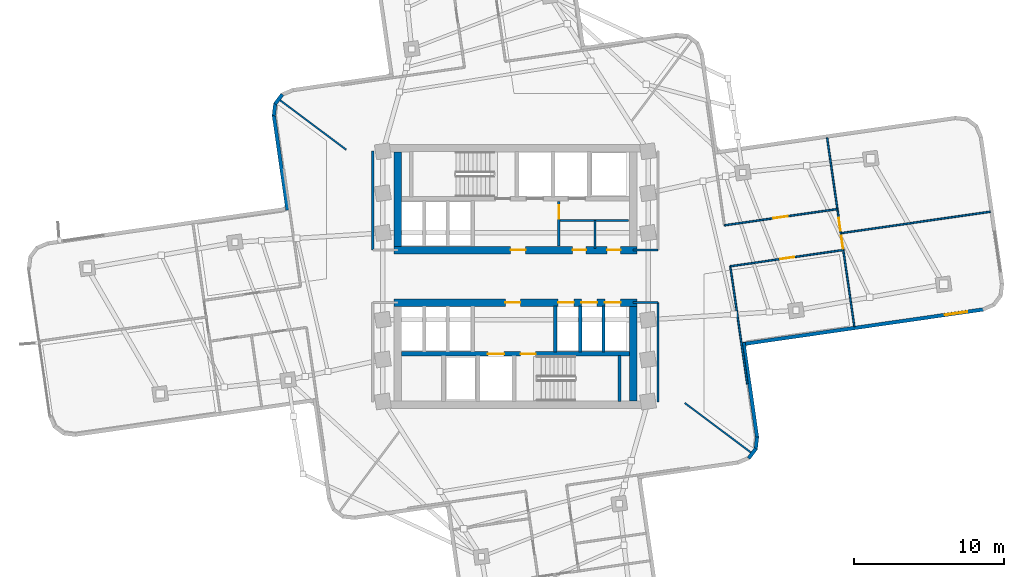
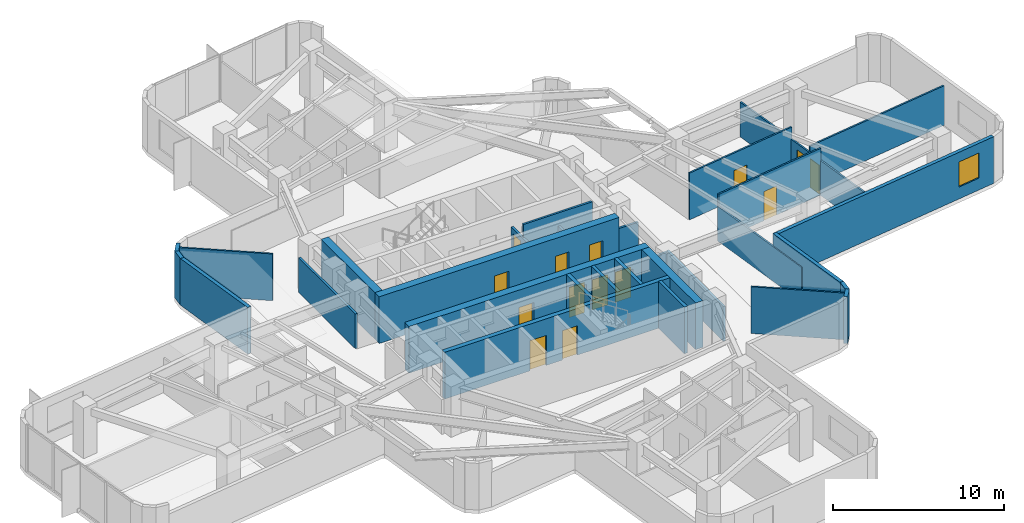
# One storey, part 7 of 13: 30 walls, 14 doors, 1 window, 15 openings.
"""IFC4 building model written with IfcOpenShell, lengths in metres."""

from ifc_helpers import new_model, si_unit, direction, frame, frame_2d, origin, place, context, subcontext, project, spatial, rectangle, extrude, material, layer, layer_set, type_object, element, fill, save


model = new_model("IFC4")

# Units and contexts
model_context = context("Model", 3, precision=1e-05, world=origin(), true_north=direction((0.0, 1.0)))
body_context = subcontext(model_context, "Body", "Model", "MODEL_VIEW")
ifc_project = project(units=[si_unit("LENGTHUNIT", "METRE"), si_unit("AREAUNIT", "SQUARE_METRE"), si_unit("VOLUMEUNIT", "CUBIC_METRE"), si_unit("PLANEANGLEUNIT", "RADIAN"), si_unit("MASSUNIT", "GRAM", prefix="KILO")], contexts=[model_context])

# Site, building, storey
site_placement = place(None, origin())
site = spatial("IfcSite", under=ifc_project, at=site_placement, CompositionType="ELEMENT")
building_placement = place(site_placement, origin())
building = spatial("IfcBuilding", under=site, at=building_placement, Name="Solmarez Civic Tower", CompositionType="ELEMENT")
storey_placement = place(building_placement, frame((0.0, 0.0, 89.280029296875)))
storey = spatial("IfcBuildingStorey", under=building, at=storey_placement, Name="L23", CompositionType="ELEMENT", Elevation=89.280029296875)

# Wall, openings, doors
ifc_material_1 = material(Name="Concrete C60/75", Category="concrete")
ifc_layer_1 = layer(ifc_material_1, 0.5)
ifc_layer_set_1 = layer_set([ifc_layer_1], Name="Concrete C60/75")
wall_type_1 = type_object("IfcWallType", Name="WALL-CORE-500", PredefinedType="SHEAR", material=ifc_layer_set_1)
wall_1_placement = place(storey_placement, frame((8.1201171875, 1.75, 0.0), z_axis=(0.0, 0.0, 1.0), x_axis=(-1.0, 0.0, 0.0)))
wall_1 = element("IfcWall", 1, at=wall_1_placement, inside=storey, type_object=wall_type_1, Name="L23 Split-Core Structural Wall NCW-S-L23", PredefinedType="SHEAR", context=body_context, shape_type="SweptSolid", body=[
    extrude(rectangle(XDim=16.240234375, YDim=0.5, at=frame_2d((8.1201171875, 0.0))), origin(), (0.0, 0.0, 1.0), 3.340087890625),
])
opening_1_placement = place(wall_1_placement, frame((7.449951171875, 0.0, 0.0)))
opening_1 = element("IfcOpeningElement", 2, at=opening_1_placement, cuts=wall_1, Name="Opening D-04", PredefinedType="OPENING", context=body_context, shape_type="SweptSolid", body=[
    extrude(rectangle(XDim=1.0, YDim=2.10009765625, at=frame_2d((0.5, 1.050048828125))), frame((0.0, 0.260009765625, 0.0), z_axis=(0.0, -1.0, 0.0), x_axis=(1.0, 0.0, 0.0)), (0.0, 0.0, 1.0), 0.52001953125),
])
opening_2_placement = place(wall_1_placement, frame((3.39990234375, 0.0, 0.0)))
opening_2 = element("IfcOpeningElement", 3, at=opening_2_placement, cuts=wall_1, Name="Opening D-09", PredefinedType="OPENING", context=body_context, shape_type="SweptSolid", body=[
    extrude(rectangle(XDim=0.89990234375, YDim=2.06005859375, at=frame_2d((0.449951171875, 1.030029296875))), frame((0.0, 0.260009765625, 0.0), z_axis=(0.0, -1.0, 0.0), x_axis=(1.0, 0.0, 0.0)), (0.0, 0.0, 1.0), 0.52001953125),
])
opening_3_placement = place(wall_1_placement, frame((1.10009765625, 0.0, 0.0)))
opening_3 = element("IfcOpeningElement", 4, at=opening_3_placement, cuts=wall_1, Name="Opening D-09", PredefinedType="OPENING", context=body_context, shape_type="SweptSolid", body=[
    extrude(rectangle(XDim=0.89990234375, YDim=2.06005859375, at=frame_2d((0.449951171875, 1.030029296875))), frame((0.0, 0.260009765625, 0.0), z_axis=(0.0, -1.0, 0.0), x_axis=(1.0, 0.0, 0.0)), (0.0, 0.0, 1.0), 0.52001953125),
])
ifc_material_2 = material(Name="Steel-Faced Acoustic Fire Door", Category="steel")
door_type_1 = type_object("IfcDoorType", Name="DOOR-FD60-1000", OperationType="NOTDEFINED", PredefinedType="DOOR", material=ifc_material_2)
door_1_placement = place(opening_1_placement, origin())
door_1 = element("IfcDoor", 5, at=door_1_placement, inside=storey, type_object=door_type_1, Name="L23 North Firefighting Lobby Door", OperationType="SINGLE_SWING_RIGHT", OverallHeight=2.10009765625, OverallWidth=1.0, PredefinedType="DOOR", context=body_context, shape_type="SweptSolid", body=[
    extrude(rectangle(XDim=1.0, YDim=2.10009765625, at=frame_2d((0.5, 1.050048828125))), frame((0.0, 0.02490234375, 0.0), z_axis=(0.0, -1.0, 0.0), x_axis=(1.0, 0.0, 0.0)), (0.0, 0.0, 1.0), 0.050048828125),
])
fill(opening_1, door_1)
ifc_material_3 = material(Name="Fire-Rated Service Core Door", Category="wood")
door_type_2 = type_object("IfcDoorType", Name="DOOR-FD60-900", OperationType="NOTDEFINED", PredefinedType="DOOR", material=ifc_material_3)
door_2_placement = place(opening_2_placement, origin())
door_2 = element("IfcDoor", 6, at=door_2_placement, inside=storey, type_object=door_type_2, Name="L23 Core WC Door", OperationType="SINGLE_SWING_LEFT", OverallHeight=2.06005859375, OverallWidth=0.89990234375, PredefinedType="DOOR", context=body_context, shape_type="SweptSolid", body=[
    extrude(rectangle(XDim=0.89990234375, YDim=2.06005859375, at=frame_2d((0.449951171875, 1.030029296875))), frame((0.0, 0.02490234375, 0.0), z_axis=(0.0, -1.0, 0.0), x_axis=(1.0, 0.0, 0.0)), (0.0, 0.0, 1.0), 0.050048828125),
])
fill(opening_2, door_2)
door_3_placement = place(opening_3_placement, origin())
door_3 = element("IfcDoor", 7, at=door_3_placement, inside=storey, type_object=door_type_2, Name="L23 Core CL Door", OperationType="SINGLE_SWING_RIGHT", OverallHeight=2.06005859375, OverallWidth=0.89990234375, PredefinedType="DOOR", context=body_context, shape_type="SweptSolid", body=[
    extrude(rectangle(XDim=0.89990234375, YDim=2.06005859375, at=frame_2d((0.449951171875, 1.030029296875))), frame((0.0, 0.02490234375, 0.0), z_axis=(0.0, -1.0, 0.0), x_axis=(1.0, 0.0, 0.0)), (0.0, 0.0, 1.0), 0.050048828125),
])
fill(opening_3, door_3)

# Wall
wall_2_placement = place(storey_placement, frame((-7.8701171875, 2.0, 0.0), z_axis=(0.0, 0.0, 1.0), x_axis=(0.0, 1.0, 0.0)))
element("IfcWall", 8, at=wall_2_placement, inside=storey, type_object=wall_type_1, Name="L23 Split-Core Structural Wall NCW-W-L23", PredefinedType="SHEAR", context=body_context, shape_type="SweptSolid", body=[
    extrude(rectangle(XDim=6.31005859375, YDim=0.5, at=frame_2d((3.155029296875, 0.0))), origin(), (0.0, 0.0, 1.0), 3.340087890625),
])

# Wall, openings, doors
wall_3_placement = place(storey_placement, frame((-8.1201171875, -1.75, 0.0), z_axis=(0.0, 0.0, 1.0), x_axis=(1.0, 0.0, 0.0)))
wall_3 = element("IfcWall", 9, at=wall_3_placement, inside=storey, type_object=wall_type_1, Name="L23 Split-Core Structural Wall SCW-N-L23", PredefinedType="SHEAR", context=body_context, shape_type="SweptSolid", body=[
    extrude(rectangle(XDim=16.240234375, YDim=0.5, at=frame_2d((8.1201171875, 0.0))), origin(), (0.0, 0.0, 1.0), 3.340087890625),
])
opening_4_placement = place(wall_3_placement, frame((7.449951171875, 0.0, 0.0)))
opening_4 = element("IfcOpeningElement", 10, at=opening_4_placement, cuts=wall_3, Name="Opening D-04", PredefinedType="OPENING", context=body_context, shape_type="SweptSolid", body=[
    extrude(rectangle(XDim=1.0, YDim=2.10009765625, at=frame_2d((0.5, 1.050048828125))), frame((0.0, 0.260009765625, 0.0), z_axis=(0.0, -1.0, 0.0), x_axis=(1.0, 0.0, 0.0)), (0.0, 0.0, 1.0), 0.52001953125),
])
opening_5_placement = place(wall_3_placement, frame((10.965087890625, 0.0, 0.0)))
opening_5 = element("IfcOpeningElement", 11, at=opening_5_placement, cuts=wall_3, Name="Opening LD-01", PredefinedType="OPENING", context=body_context, shape_type="SweptSolid", body=[
    extrude(rectangle(XDim=1.050048828125, YDim=2.14990234375, at=frame_2d((0.52490234375, 1.074951171875))), frame((0.0, 0.260009765625, 0.0), z_axis=(0.0, -1.0, 0.0), x_axis=(1.0, 0.0, 0.0)), (0.0, 0.0, 1.0), 0.52001953125),
])
opening_6_placement = place(wall_3_placement, frame((12.52490234375, 0.0, 0.0)))
opening_6 = element("IfcOpeningElement", 12, at=opening_6_placement, cuts=wall_3, Name="Opening LD-01", PredefinedType="OPENING", context=body_context, shape_type="SweptSolid", body=[
    extrude(rectangle(XDim=1.050048828125, YDim=2.14990234375, at=frame_2d((0.52490234375, 1.074951171875))), frame((0.0, 0.260009765625, 0.0), z_axis=(0.0, -1.0, 0.0), x_axis=(1.0, 0.0, 0.0)), (0.0, 0.0, 1.0), 0.52001953125),
])
opening_7_placement = place(wall_3_placement, frame((14.0849609375, 0.0, 0.0)))
opening_7 = element("IfcOpeningElement", 13, at=opening_7_placement, cuts=wall_3, Name="Opening LD-01", PredefinedType="OPENING", context=body_context, shape_type="SweptSolid", body=[
    extrude(rectangle(XDim=1.050048828125, YDim=2.14990234375, at=frame_2d((0.52490234375, 1.074951171875))), frame((0.0, 0.260009765625, 0.0), z_axis=(0.0, -1.0, 0.0), x_axis=(1.0, 0.0, 0.0)), (0.0, 0.0, 1.0), 0.52001953125),
])
door_4_placement = place(opening_4_placement, origin())
door_4 = element("IfcDoor", 14, at=door_4_placement, inside=storey, type_object=door_type_1, Name="L23 South Firefighting Lobby Door", OperationType="SINGLE_SWING_LEFT", OverallHeight=2.10009765625, OverallWidth=1.0, PredefinedType="DOOR", context=body_context, shape_type="SweptSolid", body=[
    extrude(rectangle(XDim=1.0, YDim=2.10009765625, at=frame_2d((0.5, 1.050048828125))), frame((0.0, 0.02490234375, 0.0), z_axis=(0.0, -1.0, 0.0), x_axis=(1.0, 0.0, 0.0)), (0.0, 0.0, 1.0), 0.050048828125),
])
fill(opening_4, door_4)
ifc_material_4 = material(Name="Bronze Passenger Lift Landing Sliding Door", Category="aluminium")
door_type_3 = type_object("IfcDoorType", Name="DOOR-LD-PAX-1050", OperationType="DOUBLE_DOOR_SLIDING", PredefinedType="DOOR", material=ifc_material_4)
door_5_placement = place(opening_5_placement, origin())
door_5 = element("IfcDoor", 15, at=door_5_placement, inside=storey, type_object=door_type_3, Name="L23 Low-Rise Lift Landing Door PL-L1", OperationType="DOUBLE_DOOR_SLIDING", OverallHeight=2.14990234375, OverallWidth=1.050048828125, PredefinedType="DOOR", context=body_context, shape_type="SweptSolid", body=[
    extrude(rectangle(XDim=1.050048828125, YDim=2.14990234375, at=frame_2d((0.52490234375, 1.074951171875))), frame((0.0, 0.02490234375, 0.0), z_axis=(0.0, -1.0, 0.0), x_axis=(1.0, 0.0, 0.0)), (0.0, 0.0, 1.0), 0.050048828125),
])
fill(opening_5, door_5)
door_6_placement = place(opening_6_placement, origin())
door_6 = element("IfcDoor", 16, at=door_6_placement, inside=storey, type_object=door_type_3, Name="L23 Low-Rise Lift Landing Door PL-L2", OperationType="DOUBLE_DOOR_SLIDING", OverallHeight=2.14990234375, OverallWidth=1.050048828125, PredefinedType="DOOR", context=body_context, shape_type="SweptSolid", body=[
    extrude(rectangle(XDim=1.050048828125, YDim=2.14990234375, at=frame_2d((0.52490234375, 1.074951171875))), frame((0.0, 0.02490234375, 0.0), z_axis=(0.0, -1.0, 0.0), x_axis=(1.0, 0.0, 0.0)), (0.0, 0.0, 1.0), 0.050048828125),
])
fill(opening_6, door_6)
door_7_placement = place(opening_7_placement, origin())
door_7 = element("IfcDoor", 17, at=door_7_placement, inside=storey, type_object=door_type_3, Name="L23 Low-Rise Lift Landing Door PL-L3", OperationType="DOUBLE_DOOR_SLIDING", OverallHeight=2.14990234375, OverallWidth=1.050048828125, PredefinedType="DOOR", context=body_context, shape_type="SweptSolid", body=[
    extrude(rectangle(XDim=1.050048828125, YDim=2.14990234375, at=frame_2d((0.52490234375, 1.074951171875))), frame((0.0, 0.02490234375, 0.0), z_axis=(0.0, -1.0, 0.0), x_axis=(1.0, 0.0, 0.0)), (0.0, 0.0, 1.0), 0.050048828125),
])
fill(opening_7, door_7)

# Walls
wall_4_placement = place(storey_placement, frame((7.8701171875, -2.0, 0.0), z_axis=(0.0, 0.0, 1.0), x_axis=(0.0, -1.0, 0.0)))
element("IfcWall", 18, at=wall_4_placement, inside=storey, type_object=wall_type_1, Name="L23 Split-Core Structural Wall SCW-E-L23", PredefinedType="SHEAR", context=body_context, shape_type="SweptSolid", body=[
    extrude(rectangle(XDim=6.31005859375, YDim=0.5, at=frame_2d((3.155029296875, 0.0))), origin(), (0.0, 0.0, 1.0), 3.340087890625),
])
ifc_material_5 = material(Name="Precast concrete C40/50", Category="concrete")
ifc_layer_2 = layer(ifc_material_5, 0.239990234375)
ifc_layer_set_2 = layer_set([ifc_layer_2], Name="Precast concrete C40/50")
wall_type_2 = type_object("IfcWallType", Name="WALL-EXT-240", PredefinedType="SOLIDWALL", material=ifc_layer_set_2)
wall_5_placement = place(storey_placement, frame((-15.215087890625, 4.4189453125, 0.0), z_axis=(0.0, 0.0, 1.0), x_axis=(-0.14277438433, 0.989755260243, 0.0)))
element("IfcWall", 19, at=wall_5_placement, inside=storey, type_object=wall_type_2, Name="L23 Exterior Precast Wall 13", PredefinedType="SOLIDWALL", context=body_context, shape_type="SweptSolid", body=[
    extrude(rectangle(XDim=6.415771484375, YDim=0.239990234375, at=frame_2d((3.2080078125, 0.0))), origin(), (0.0, 0.0, 1.0), 3.340087890625),
])
wall_6_placement = place(storey_placement, frame((-16.1298828125, 10.718994140625, 0.0), z_axis=(0.0, 0.0, 1.0), x_axis=(0.117847211411, 0.993031739051, 0.0)))
element("IfcWall", 20, at=wall_6_placement, inside=storey, type_object=wall_type_2, Name="L23 Exterior Precast Wall 14", PredefinedType="SOLIDWALL", context=body_context, shape_type="SweptSolid", body=[
    extrude(rectangle(XDim=0.830810546875, YDim=0.239990234375, at=frame_2d((0.41552734375, 0.0))), origin(), (0.0, 0.0, 1.0), 3.340087890625),
])
wall_7_placement = place(storey_placement, frame((-16.050048828125, 11.4990234375, 0.0), z_axis=(0.0, 0.0, 1.0), x_axis=(0.599903963027, 0.800072018724, 0.0)))
element("IfcWall", 21, at=wall_7_placement, inside=storey, type_object=wall_type_2, Name="L23 Exterior Precast Wall 15", PredefinedType="SOLIDWALL", context=body_context, shape_type="SweptSolid", body=[
    extrude(rectangle(XDim=0.8134765625, YDim=0.239990234375, at=frame_2d((0.40673828125, 0.0))), origin(), (0.0, 0.0, 1.0), 3.340087890625),
])

# Wall, opening, window
wall_8_placement = place(storey_placement, frame((31.243896484375, -2.2060546875, 0.0), z_axis=(0.0, 0.0, 1.0), x_axis=(-0.989771419035, -0.142662321802, 0.0)))
wall_8 = element("IfcWall", 22, at=wall_8_placement, inside=storey, type_object=wall_type_2, Name="L23 Exterior Precast Wall 46", PredefinedType="SOLIDWALL", context=body_context, shape_type="SweptSolid", body=[
    extrude(rectangle(XDim=16.2763671875, YDim=0.239990234375, at=frame_2d((8.13818359375, 0.0))), origin(), (0.0, 0.0, 1.0), 3.340087890625),
])
opening_8_placement = place(wall_8_placement, frame((1.10009765625, 0.0, 0.85009765625)))
opening_8 = element("IfcOpeningElement", 23, at=opening_8_placement, cuts=wall_8, Name="Opening W-13", PredefinedType="OPENING", context=body_context, shape_type="SweptSolid", body=[
    extrude(rectangle(XDim=1.5, YDim=1.800048828125, at=frame_2d((0.75, 0.89990234375))), frame((0.0, 0.1298828125, 0.0), z_axis=(0.0, -1.0, 0.0), x_axis=(1.0, 0.0, 0.0)), (0.0, 0.0, 1.0), 0.260009765625),
])
ifc_material_6 = material(Name="Solar Control Bronze-Tinted Insulating Glass", Category="glass")
window_type = type_object("IfcWindowType", Name="WIN-1500X1800", PartitioningType="SINGLE_PANEL", PredefinedType="WINDOW", material=ifc_material_6)
window_placement = place(opening_8_placement, origin())
window = element("IfcWindow", 24, at=window_placement, inside=storey, type_object=window_type, Name="L23 Exterior Facade Window 46", OverallHeight=1.800048828125, OverallWidth=1.5, PartitioningType="SINGLE_PANEL", PredefinedType="WINDOW", context=body_context, shape_type="SweptSolid", body=[
    extrude(rectangle(XDim=1.5, YDim=1.800048828125, at=frame_2d((0.75, 0.89990234375))), frame((0.0, 0.030029296875, 0.0), z_axis=(0.0, -1.0, 0.0), x_axis=(1.0, 0.0, 0.0)), (0.0, 0.0, 1.0), 0.06005859375),
])
fill(opening_8, window)

# Walls
wall_9_placement = place(storey_placement, frame((15.215087890625, -4.4189453125, 0.0), z_axis=(0.0, 0.0, 1.0), x_axis=(0.14277438433, -0.989755260243, 0.0)))
element("IfcWall", 25, at=wall_9_placement, inside=storey, type_object=wall_type_2, Name="L23 Exterior Precast Wall 49", PredefinedType="SOLIDWALL", context=body_context, shape_type="SweptSolid", body=[
    extrude(rectangle(XDim=6.415771484375, YDim=0.239990234375, at=frame_2d((3.2080078125, 0.0))), origin(), (0.0, 0.0, 1.0), 3.340087890625),
])
wall_10_placement = place(storey_placement, frame((16.1298828125, -10.718994140625, 0.0), z_axis=(0.0, 0.0, 1.0), x_axis=(-0.117847211411, -0.993031739051, 0.0)))
element("IfcWall", 26, at=wall_10_placement, inside=storey, type_object=wall_type_2, Name="L23 Exterior Precast Wall 50", PredefinedType="SOLIDWALL", context=body_context, shape_type="SweptSolid", body=[
    extrude(rectangle(XDim=0.830810546875, YDim=0.239990234375, at=frame_2d((0.41552734375, 0.0))), origin(), (0.0, 0.0, 1.0), 3.340087890625),
])
wall_11_placement = place(storey_placement, frame((16.050048828125, -11.4990234375, 0.0), z_axis=(0.0, 0.0, 1.0), x_axis=(-0.599903963027, -0.800072018724, 0.0)))
element("IfcWall", 27, at=wall_11_placement, inside=storey, type_object=wall_type_2, Name="L23 Exterior Precast Wall 51", PredefinedType="SOLIDWALL", context=body_context, shape_type="SweptSolid", body=[
    extrude(rectangle(XDim=0.8134765625, YDim=0.239990234375, at=frame_2d((0.40673828125, 0.0))), origin(), (0.0, 0.0, 1.0), 3.340087890625),
])
ifc_material_7 = material(Name="Gypsum Board Acoustic Steel-Stud Partition", Category="steel")
ifc_layer_3 = layer(ifc_material_7, 0.14990234375)
ifc_layer_set_3 = layer_set([ifc_layer_3], Name="Gypsum Board Acoustic Steel-Stud Partition")
wall_type_3 = type_object("IfcWallType", Name="WALL-INT-FIRE-150", PredefinedType="PARTITIONING", material=ifc_layer_set_3)
wall_12_placement = place(storey_placement, frame((-9.52001953125, 1.75, 0.0), z_axis=(0.0, 0.0, 1.0), x_axis=(0.0, 1.0, 0.0)))
element("IfcWall", 28, at=wall_12_placement, inside=storey, type_object=wall_type_3, Name="L23 Interior Partition CHW-L23-WN1", PredefinedType="PARTITIONING", context=body_context, shape_type="SweptSolid", body=[
    extrude(rectangle(XDim=6.6298828125, YDim=0.14990234375, at=frame_2d((3.31494140625, 0.0))), origin(), (0.0, 0.0, 1.0), 2.486083984375),
])
wall_13_placement = place(storey_placement, frame((7.85009765625, 1.75, 0.0), z_axis=(0.0, 0.0, 1.0), x_axis=(1.0, 0.0, 0.0)))
element("IfcWall", 29, at=wall_13_placement, inside=storey, type_object=wall_type_3, Name="L23 Interior Partition CHW-L23-EN3", PredefinedType="PARTITIONING", context=body_context, shape_type="SweptSolid", body=[
    extrude(rectangle(XDim=1.669921875, YDim=0.14990234375, at=frame_2d((0.8349609375, 0.0))), origin(), (0.0, 0.0, 1.0), 2.405029296875),
])
wall_14_placement = place(storey_placement, frame((9.52001953125, -8.3798828125, 0.0), z_axis=(0.0, 0.0, 1.0), x_axis=(0.0, 1.0, 0.0)))
element("IfcWall", 30, at=wall_14_placement, inside=storey, type_object=wall_type_3, Name="L23 Interior Partition CHW-L23-ES1", PredefinedType="PARTITIONING", context=body_context, shape_type="SweptSolid", body=[
    extrude(rectangle(XDim=6.6298828125, YDim=0.14990234375, at=frame_2d((3.31494140625, 0.0))), origin(), (0.0, 0.0, 1.0), 2.486083984375),
])
wall_15_placement = place(storey_placement, frame((7.85009765625, -1.75, 0.0), z_axis=(0.0, 0.0, 1.0), x_axis=(1.0, 0.0, 0.0)))
element("IfcWall", 31, at=wall_15_placement, inside=storey, type_object=wall_type_3, Name="L23 Interior Partition CHW-L23-ES3", PredefinedType="PARTITIONING", context=body_context, shape_type="SweptSolid", body=[
    extrude(rectangle(XDim=1.669921875, YDim=0.14990234375, at=frame_2d((0.8349609375, 0.0))), origin(), (0.0, 0.0, 1.0), 2.405029296875),
])
ifc_layer_4 = layer(ifc_material_7, 0.110107421875)
ifc_layer_set_4 = layer_set([ifc_layer_4], Name="Gypsum Board Acoustic Steel-Stud Partition")
wall_type_4 = type_object("IfcWallType", Name="WALL-INT-PART-110", PredefinedType="PARTITIONING", material=ifc_layer_set_4)
for number, where, z_axis, x_axis, name in (
    (32, (-11.300048828125, 8.4541015625, 0.0), (0.0, 0.0, 1.0), (-0.80074999449, 0.598998703107, 0.0), "L23 Interior Partition PT-L23-QDIV-2"),
    (33, (11.300048828125, -8.4541015625, 0.0), (0.0, 0.0, 1.0), (0.80074999449, -0.598998703107, 0.0), "L23 Interior Partition PT-L23-QDIV-4"),
):
    element("IfcWall", number, at=place(storey_placement, frame(where, z_axis=z_axis, x_axis=x_axis)), inside=storey, type_object=wall_type_4, Name=name, PredefinedType="PARTITIONING", context=body_context, shape_type="SweptSolid", body=[
        extrude(rectangle(XDim=5.542236328125, YDim=0.110107421875, at=frame_2d((2.77099609375, 0.0))), origin(), (0.0, 0.0, 1.0), 3.340087890625),
    ])
wall_16_placement = place(storey_placement, frame((15.47412109375, -7.18603515625, 0.0), z_axis=(0.0, 0.0, 1.0), x_axis=(-0.142779920322, 0.989754461648, 0.0)))
element("IfcWall", 34, at=wall_16_placement, inside=storey, type_object=wall_type_4, Name="L23 Interior Partition PT-L23-E-EFR", PredefinedType="PARTITIONING", context=body_context, shape_type="SweptSolid", body=[
    extrude(rectangle(XDim=7.949462890625, YDim=0.110107421875, at=frame_2d((3.974609375, 0.0))), origin(), (0.0, 0.0, 1.0), 2.486083984375),
])

# Wall, opening, door
wall_17_placement = place(storey_placement, frame((21.489013671875, 4.490966796875, 0.0), z_axis=(0.0, 0.0, 1.0), x_axis=(-0.989774445133, -0.142641325577, 0.0)))
wall_17 = element("IfcWall", 35, at=wall_17_placement, inside=storey, type_object=wall_type_4, Name="L23 Interior Partition PT-L23-E-SL", PredefinedType="PARTITIONING", context=body_context, shape_type="SweptSolid", body=[
    extrude(rectangle(XDim=7.619873046875, YDim=0.110107421875, at=frame_2d((3.81005859375, 0.0))), origin(), (0.0, 0.0, 1.0), 3.340087890625),
])
opening_9_placement = place(wall_17_placement, frame((3.360107421875, 0.0, 0.0)))
opening_9 = element("IfcOpeningElement", 36, at=opening_9_placement, cuts=wall_17, Name="Opening D-10", PredefinedType="OPENING", context=body_context, shape_type="SweptSolid", body=[
    extrude(rectangle(XDim=0.949951171875, YDim=2.080078125, at=frame_2d((0.47509765625, 1.0400390625))), frame((0.0, 0.06494140625, 0.0), z_axis=(0.0, -1.0, 0.0), x_axis=(1.0, 0.0, 0.0)), (0.0, 0.0, 1.0), 0.130126953125),
])
ifc_material_8 = material(Name="Solid-Core Timber Ministry Office Door", Category="wood")
door_type_4 = type_object("IfcDoorType", Name="DOOR-INT-950", OperationType="NOTDEFINED", PredefinedType="DOOR", material=ifc_material_8)
door_8_placement = place(opening_9_placement, origin())
door_8 = element("IfcDoor", 37, at=door_8_placement, inside=storey, type_object=door_type_4, Name="L23 Executive Boardroom East Door", OperationType="SINGLE_SWING_LEFT", OverallHeight=2.080078125, OverallWidth=0.949951171875, PredefinedType="DOOR", context=body_context, shape_type="SweptSolid", body=[
    extrude(rectangle(XDim=0.949951171875, YDim=2.080078125, at=frame_2d((0.47509765625, 1.0400390625))), frame((0.0, 0.02490234375, 0.0), z_axis=(0.0, -1.0, 0.0), x_axis=(1.0, 0.0, 0.0)), (0.0, 0.0, 1.0), 0.050048828125),
])
fill(opening_9, door_8)

wall_18_placement = place(storey_placement, frame((14.341064453125, 0.672119140625, 0.0), z_axis=(0.0, 0.0, 1.0), x_axis=(0.989774445133, 0.142641325577, 0.0)))
wall_18 = element("IfcWall", 38, at=wall_18_placement, inside=storey, type_object=wall_type_4, Name="L23 Interior Partition PT-L23-E-SR", PredefinedType="PARTITIONING", context=body_context, shape_type="SweptSolid", body=[
    extrude(rectangle(XDim=7.619873046875, YDim=0.110107421875, at=frame_2d((3.81005859375, 0.0))), origin(), (0.0, 0.0, 1.0), 3.340087890625),
])
opening_10_placement = place(wall_18_placement, frame((3.360107421875, 0.0, 0.0)))
opening_10 = element("IfcOpeningElement", 39, at=opening_10_placement, cuts=wall_18, Name="Opening D-10", PredefinedType="OPENING", context=body_context, shape_type="SweptSolid", body=[
    extrude(rectangle(XDim=0.949951171875, YDim=2.080078125, at=frame_2d((0.47509765625, 1.0400390625))), frame((0.0, 0.06494140625, 0.0), z_axis=(0.0, -1.0, 0.0), x_axis=(1.0, 0.0, 0.0)), (0.0, 0.0, 1.0), 0.130126953125),
])
door_9_placement = place(opening_10_placement, origin())
door_9 = element("IfcDoor", 40, at=door_9_placement, inside=storey, type_object=door_type_4, Name="L23 Diplomatic Sitting Lounge East Door", OperationType="SINGLE_SWING_RIGHT", OverallHeight=2.080078125, OverallWidth=0.949951171875, PredefinedType="DOOR", context=body_context, shape_type="SweptSolid", body=[
    extrude(rectangle(XDim=0.949951171875, YDim=2.080078125, at=frame_2d((0.47509765625, 1.0400390625))), frame((0.0, 0.02490234375, 0.0), z_axis=(0.0, -1.0, 0.0), x_axis=(1.0, 0.0, 0.0)), (0.0, 0.0, 1.0), 0.050048828125),
])
fill(opening_10, door_9)

# Wall
wall_19_placement = place(storey_placement, frame((21.781005859375, 2.885986328125, 0.0), z_axis=(0.0, 0.0, 1.0), x_axis=(0.989773870341, 0.142645313942, 0.0)))
element("IfcWall", 41, at=wall_19_placement, inside=storey, type_object=wall_type_4, Name="L23 Interior Partition PT-L23-E-TM", PredefinedType="PARTITIONING", context=body_context, shape_type="SweptSolid", body=[
    extrude(rectangle(XDim=10.0244140625, YDim=0.110107421875, at=frame_2d((5.01220703125, 0.0))), origin(), (0.0, 0.0, 1.0), 2.83203125),
])

# Wall, openings, doors
wall_20_placement = place(storey_placement, frame((20.802001953125, 9.257080078125, 0.0), z_axis=(0.0, 0.0, 1.0), x_axis=(0.142667743944, -0.98977063749, 0.0)))
wall_20 = element("IfcWall", 42, at=wall_20_placement, inside=storey, type_object=wall_type_4, Name="L23 Interior Partition PT-L23-E-END", PredefinedType="PARTITIONING", context=body_context, shape_type="SweptSolid", body=[
    extrude(rectangle(XDim=12.75048828125, YDim=0.110107421875, at=frame_2d((6.375244140625, 0.0))), origin(), (0.0, 0.0, 1.0), 2.486083984375),
])
opening_11_placement = place(wall_20_placement, frame((6.614990234375, 0.0, 0.0)))
opening_11 = element("IfcOpeningElement", 43, at=opening_11_placement, cuts=wall_20, Name="Opening D-14", PredefinedType="OPENING", context=body_context, shape_type="SweptSolid", body=[
    extrude(rectangle(XDim=0.860107421875, YDim=2.0400390625, at=frame_2d((0.43017578125, 1.02001953125))), frame((0.0, 0.06494140625, 0.0), z_axis=(0.0, -1.0, 0.0), x_axis=(1.0, 0.0, 0.0)), (0.0, 0.0, 1.0), 0.130126953125),
])
opening_12_placement = place(wall_20_placement, frame((5.4150390625, 0.0, 0.0)))
opening_12 = element("IfcOpeningElement", 44, at=opening_12_placement, cuts=wall_20, Name="Opening D-14", PredefinedType="OPENING", context=body_context, shape_type="SweptSolid", body=[
    extrude(rectangle(XDim=0.860107421875, YDim=2.0400390625, at=frame_2d((0.43017578125, 1.02001953125))), frame((0.0, 0.06494140625, 0.0), z_axis=(0.0, -1.0, 0.0), x_axis=(1.0, 0.0, 0.0)), (0.0, 0.0, 1.0), 0.130126953125),
])
ifc_material_9 = material(Name="Timber Storage and Pantry Door", Category="wood")
door_type_5 = type_object("IfcDoorType", Name="DOOR-INT-850", OperationType="NOTDEFINED", PredefinedType="DOOR", material=ifc_material_9)
door_10_placement = place(opening_11_placement, origin())
door_10 = element("IfcDoor", 45, at=door_10_placement, inside=storey, type_object=door_type_5, Name="L23 Security Control Room Sixth East Door", OperationType="SINGLE_SWING_RIGHT", OverallHeight=2.0400390625, OverallWidth=0.860107421875, PredefinedType="DOOR", context=body_context, shape_type="SweptSolid", body=[
    extrude(rectangle(XDim=0.860107421875, YDim=2.0400390625, at=frame_2d((0.43017578125, 1.02001953125))), frame((0.0, 0.02490234375, 0.0), z_axis=(0.0, -1.0, 0.0), x_axis=(1.0, 0.0, 0.0)), (0.0, 0.0, 1.0), 0.050048828125),
])
fill(opening_11, door_10)
door_11_placement = place(opening_12_placement, origin())
door_11 = element("IfcDoor", 46, at=door_11_placement, inside=storey, type_object=door_type_5, Name="L23 Protocol Reception Room Fifth East Door", OperationType="SINGLE_SWING_LEFT", OverallHeight=2.0400390625, OverallWidth=0.860107421875, PredefinedType="DOOR", context=body_context, shape_type="SweptSolid", body=[
    extrude(rectangle(XDim=0.860107421875, YDim=2.0400390625, at=frame_2d((0.43017578125, 1.02001953125))), frame((0.0, 0.02490234375, 0.0), z_axis=(0.0, -1.0, 0.0), x_axis=(1.0, 0.0, 0.0)), (0.0, 0.0, 1.0), 0.050048828125),
])
fill(opening_12, door_11)

# Wall, opening, door
ifc_layer_5 = layer(ifc_material_7, 0.159912109375)
ifc_layer_set_5 = layer_set([ifc_layer_5], Name="Gypsum Board Acoustic Steel-Stud Partition")
wall_type_5 = type_object("IfcWallType", Name="WALL-INT-SHAFT-160", PredefinedType="PARTITIONING", material=ifc_layer_set_5)
wall_21_placement = place(storey_placement, frame((2.89990234375, 2.0400390625, 0.0), z_axis=(0.0, 0.0, 1.0), x_axis=(0.0, 1.0, 0.0)))
wall_21 = element("IfcWall", 47, at=wall_21_placement, inside=storey, type_object=wall_type_5, Name="L23 Interior Partition SHW-NL2-L23", PredefinedType="PARTITIONING", context=body_context, shape_type="SweptSolid", body=[
    extrude(rectangle(XDim=2.93994140625, YDim=0.159912109375, at=frame_2d((1.469970703125, 0.0))), origin(), (0.0, 0.0, 1.0), 2.405029296875),
])
opening_13_placement = place(wall_21_placement, frame((1.820068359375, 0.0, 0.0)))
opening_13 = element("IfcOpeningElement", 48, at=opening_13_placement, cuts=wall_21, Name="Opening D-09", PredefinedType="OPENING", context=body_context, shape_type="SweptSolid", body=[
    extrude(rectangle(XDim=0.89990234375, YDim=2.06005859375, at=frame_2d((0.449951171875, 1.030029296875))), frame((0.0, 0.08984375, 0.0), z_axis=(0.0, -1.0, 0.0), x_axis=(1.0, 0.0, 0.0)), (0.0, 0.0, 1.0), 0.179931640625),
])
door_12_placement = place(opening_13_placement, origin())
door_12 = element("IfcDoor", 49, at=door_12_placement, inside=storey, type_object=door_type_2, Name="L23 Service Lift Lobby Door", OperationType="SINGLE_SWING_LEFT", OverallHeight=2.06005859375, OverallWidth=0.89990234375, PredefinedType="DOOR", context=body_context, shape_type="SweptSolid", body=[
    extrude(rectangle(XDim=0.89990234375, YDim=2.06005859375, at=frame_2d((0.449951171875, 1.030029296875))), frame((0.0, 0.02490234375, 0.0), z_axis=(0.0, -1.0, 0.0), x_axis=(1.0, 0.0, 0.0)), (0.0, 0.0, 1.0), 0.050048828125),
])
fill(opening_13, door_12)

# Walls
ifc_layer_6 = layer(ifc_material_7, 0.137939453125)
ifc_layer_set_6 = layer_set([ifc_layer_6], Name="Gypsum Board Acoustic Steel-Stud Partition")
wall_type_6 = type_object("IfcWallType", Name="WALL-INT-WET-140", PredefinedType="PARTITIONING", material=ifc_layer_set_6)
wall_22_placement = place(storey_placement, frame((2.89990234375, 3.739990234375, 0.0), z_axis=(0.0, 0.0, 1.0), x_axis=(1.0, 0.0, 0.0)))
element("IfcWall", 50, at=wall_22_placement, inside=storey, type_object=wall_type_6, Name="L23 Interior Partition SHW-SVH-L23", PredefinedType="PARTITIONING", context=body_context, shape_type="SweptSolid", body=[
    extrude(rectangle(XDim=4.650146484375, YDim=0.137939453125, at=frame_2d((2.3251953125, 0.0))), origin(), (0.0, 0.0, 1.0), 3.340087890625),
])
wall_23_placement = place(storey_placement, frame((5.300048828125, 1.85009765625, 0.0), z_axis=(0.0, 0.0, 1.0), x_axis=(0.0, 1.0, 0.0)))
element("IfcWall", 51, at=wall_23_placement, inside=storey, type_object=wall_type_6, Name="L23 Interior Partition PT-NCSV-L23", PredefinedType="PARTITIONING", context=body_context, shape_type="SweptSolid", body=[
    extrude(rectangle(XDim=1.889892578125, YDim=0.137939453125, at=frame_2d((0.94482421875, 0.0))), origin(), (0.0, 0.0, 1.0), 2.405029296875),
])

# Wall, openings, doors
ifc_material_10 = material(Name="Concrete C50/60", Category="concrete")
ifc_layer_7 = layer(ifc_material_10, 0.300048828125)
ifc_layer_set_7 = layer_set([ifc_layer_7], Name="Concrete C50/60")
wall_type_7 = type_object("IfcWallType", Name="WALL-STR-300", PredefinedType="SOLIDWALL", material=ifc_layer_set_7)
wall_24_placement = place(storey_placement, frame((-7.6201171875, -5.179931640625, 0.0), z_axis=(0.0, 0.0, 1.0), x_axis=(1.0, 0.0, 0.0)))
wall_24 = element("IfcWall", 52, at=wall_24_placement, inside=storey, type_object=wall_type_7, Name="L23 Split-Core Structural Wall SCW-M-L23", PredefinedType="SOLIDWALL", context=body_context, shape_type="SweptSolid", body=[
    extrude(rectangle(XDim=15.240234375, YDim=0.300048828125, at=frame_2d((7.6201171875, 0.0))), origin(), (0.0, 0.0, 1.0), 3.340087890625),
])
opening_14_placement = place(wall_24_placement, frame((5.77001953125, 0.0, 0.0)))
opening_14 = element("IfcOpeningElement", 53, at=opening_14_placement, cuts=wall_24, Name="Opening LD-02", PredefinedType="OPENING", context=body_context, shape_type="SweptSolid", body=[
    extrude(rectangle(XDim=1.10009765625, YDim=2.14990234375, at=frame_2d((0.550048828125, 1.074951171875))), frame((0.0, 0.159912109375, 0.0), z_axis=(0.0, -1.0, 0.0), x_axis=(1.0, 0.0, 0.0)), (0.0, 0.0, 1.0), 0.320068359375),
])
opening_15_placement = place(wall_24_placement, frame((7.969970703125, 0.0, 0.0)))
opening_15 = element("IfcOpeningElement", 54, at=opening_15_placement, cuts=wall_24, Name="Opening D-05", PredefinedType="OPENING", context=body_context, shape_type="SweptSolid", body=[
    extrude(rectangle(XDim=1.0, YDim=2.10009765625, at=frame_2d((0.5, 1.050048828125))), frame((0.0, 0.159912109375, 0.0), z_axis=(0.0, -1.0, 0.0), x_axis=(1.0, 0.0, 0.0)), (0.0, 0.0, 1.0), 0.320068359375),
])
ifc_material_11 = material(Name="Fire-Rated Stairwell Exit Door", Category="wood")
door_type_6 = type_object("IfcDoorType", Name="DOOR-FD90-1000", OperationType="NOTDEFINED", PredefinedType="DOOR", material=ifc_material_11)
door_13_placement = place(opening_15_placement, origin())
door_13 = element("IfcDoor", 55, at=door_13_placement, inside=storey, type_object=door_type_6, Name="L23 South Exit Stair Door ST-2", OperationType="SINGLE_SWING_LEFT", OverallHeight=2.10009765625, OverallWidth=1.0, PredefinedType="DOOR", context=body_context, shape_type="SweptSolid", body=[
    extrude(rectangle(XDim=1.0, YDim=2.10009765625, at=frame_2d((0.5, 1.050048828125))), frame((0.0, 0.02490234375, 0.0), z_axis=(0.0, -1.0, 0.0), x_axis=(1.0, 0.0, 0.0)), (0.0, 0.0, 1.0), 0.050048828125),
])
fill(opening_15, door_13)
ifc_material_12 = material(Name="Stainless Firefighting Lift Landing Sliding Door", Category="aluminium")
door_type_7 = type_object("IfcDoorType", Name="DOOR-LD-FF-1100", OperationType="DOUBLE_DOOR_SLIDING", PredefinedType="DOOR", material=ifc_material_12)
door_14_placement = place(opening_14_placement, origin())
door_14 = element("IfcDoor", 56, at=door_14_placement, inside=storey, type_object=door_type_7, Name="L23 Firefighting Lift Landing Door FFL-2", OperationType="DOUBLE_DOOR_SLIDING", OverallHeight=2.14990234375, OverallWidth=1.10009765625, PredefinedType="DOOR", context=body_context, shape_type="SweptSolid", body=[
    extrude(rectangle(XDim=1.10009765625, YDim=2.14990234375, at=frame_2d((0.550048828125, 1.074951171875))), frame((0.0, 0.02490234375, 0.0), z_axis=(0.0, -1.0, 0.0), x_axis=(1.0, 0.0, 0.0)), (0.0, 0.0, 1.0), 0.050048828125),
])
fill(opening_14, door_14)

# Walls
wall_25_placement = place(storey_placement, frame((6.949951171875, -8.340087890625, 0.0), z_axis=(0.0, 0.0, 1.0), x_axis=(0.0, 1.0, 0.0)))
element("IfcWall", 57, at=wall_25_placement, inside=storey, type_object=wall_type_7, Name="L23 Split-Core Structural Wall SHW-SE-L23", PredefinedType="SOLIDWALL", context=body_context, shape_type="SweptSolid", body=[
    extrude(rectangle(XDim=3.06005859375, YDim=0.219970703125, at=frame_2d((1.530029296875, 0.0))), origin(), (0.0, 0.0, 1.0), 3.340087890625),
])
wall_26_placement = place(storey_placement, frame((2.64990234375, -5.050048828125, 0.0), z_axis=(0.0, 0.0, 1.0), x_axis=(0.0, 1.0, 0.0)))
element("IfcWall", 58, at=wall_26_placement, inside=storey, type_object=wall_type_7, Name="L23 Split-Core Structural Wall SHW-SL2-L23", PredefinedType="SOLIDWALL", context=body_context, shape_type="SweptSolid", body=[
    extrude(rectangle(XDim=3.070068359375, YDim=0.25, at=frame_2d((1.53515625, 0.0))), origin(), (0.0, 0.0, 1.0), 3.340087890625),
])
for number, where, z_axis, x_axis, name in (
    (59, (4.320068359375, -5.050048828125, 0.0), (0.0, 0.0, 1.0), (0.0, 1.0, 0.0), "L23 Split-Core Structural Wall SHW-PLL-L23-1"),
    (60, (5.8798828125, -5.050048828125, 0.0), (0.0, 0.0, 1.0), (0.0, 1.0, 0.0), "L23 Split-Core Structural Wall SHW-PLL-L23-2"),
):
    element("IfcWall", number, at=place(storey_placement, frame(where, z_axis=z_axis, x_axis=x_axis)), inside=storey, type_object=wall_type_7, Name=name, PredefinedType="SOLIDWALL", context=body_context, shape_type="SweptSolid", body=[
        extrude(rectangle(XDim=3.070068359375, YDim=0.219970703125, at=frame_2d((1.53515625, 0.0))), origin(), (0.0, 0.0, 1.0), 3.340087890625),
    ])

save(model, "model.ifc")
